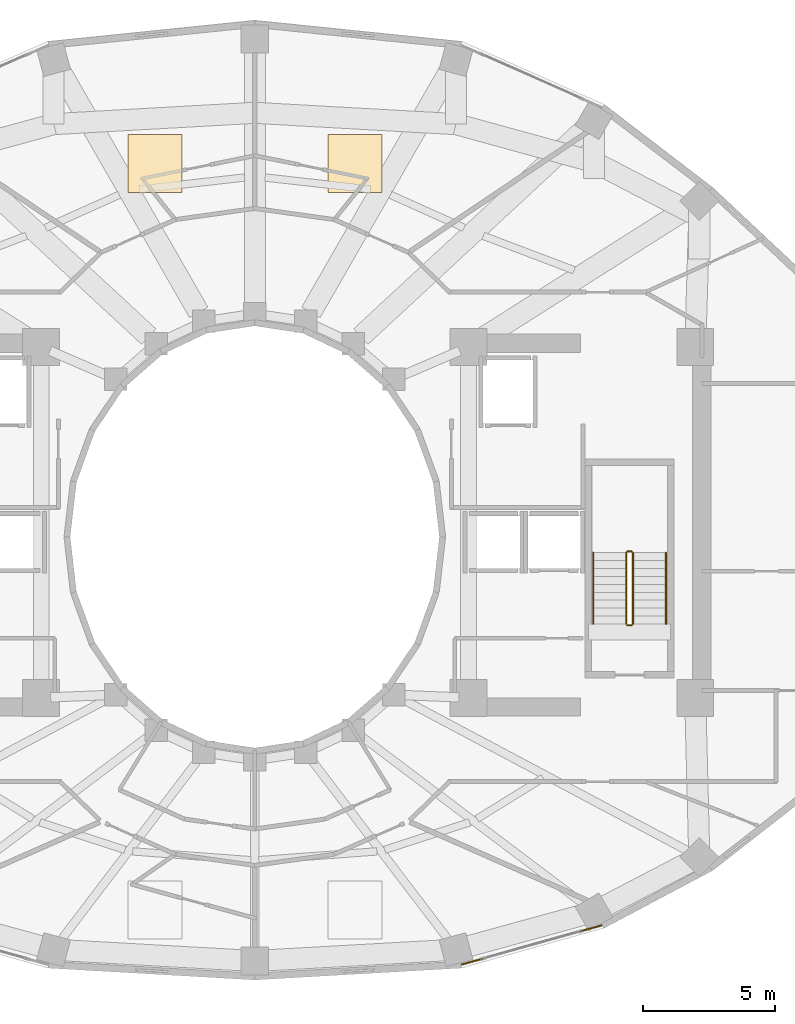
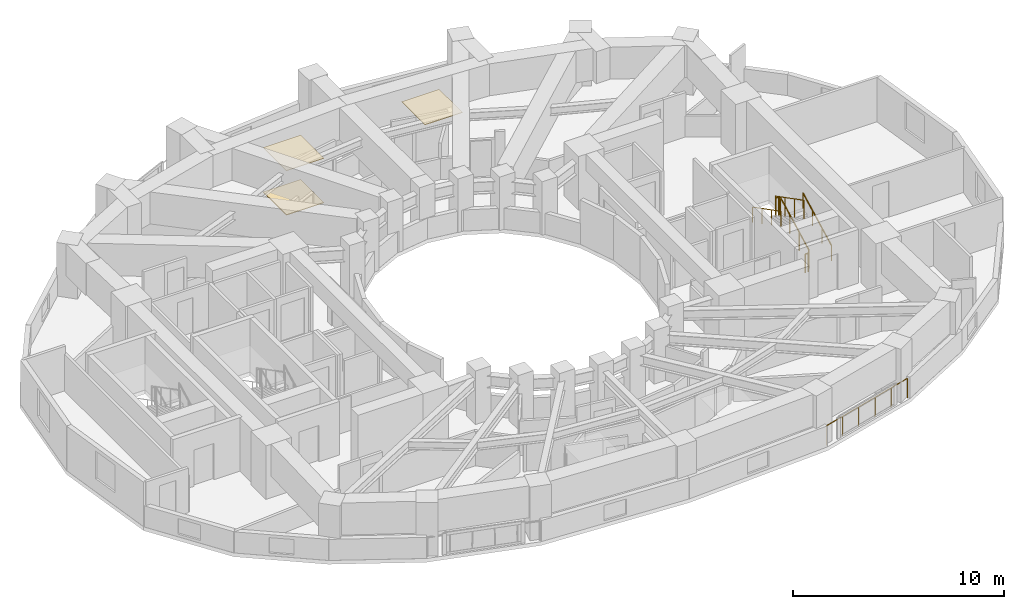
# One storey, part 15 of 16: 7 railings, 3 coverings.
"""IFC4 building model written with IfcOpenShell, lengths in metres."""

import ifcopenshell
import ifcopenshell.guid

model = None  # the IFC model being written
_history = None  # IfcOwnerHistory: only IFC2X3 demands one
_inside = {}  # id of a spatial element -> (the spatial element, [elements in it])
_under = {}  # id of a project, library or spatial element -> (it, [spatial elements below it])
_declared = {}  # id of a project -> (the project, [libraries it declares])
_typed = {}  # id of a type object -> (the type object, [elements of that type])
_made_of = {}  # id of a material, layer set ... -> (it, [elements and type objects made of it])


def new_model(schema):
    """Start an empty IFC model of exactly this schema.

    Asked for "IFC4X3", IfcOpenShell would pick the latest addendum, in which some entities
    have other attributes; the version numbers below select the first issue.
    IFC2X3 requires an IfcOwnerHistory on every rooted entity: one is made here for all.
    """
    global model, _history
    if schema == "IFC4X3":
        model = ifcopenshell.file(schema_version=(4, 3, 0, 0))
    else:
        model = ifcopenshell.file(schema=schema)
    _inside.clear()
    _under.clear()
    _declared.clear()
    _typed.clear()
    _made_of.clear()
    _history = None
    if model.schema == "IFC2X3":
        org = make("IfcOrganization", Name="unknown")
        user = make(
            "IfcPersonAndOrganization",
            ThePerson=make("IfcPerson", FamilyName="unknown"),
            TheOrganization=org,
        )
        app = make(
            "IfcApplication",
            ApplicationDeveloper=org,
            Version="unknown",
            ApplicationFullName="unknown",
            ApplicationIdentifier="unknown",
        )
        _history = make(
            "IfcOwnerHistory",
            OwningUser=user,
            OwningApplication=app,
            ChangeAction="ADDED",
            CreationDate=0,
        )
    return model


def make(cls, **values):
    """One entity of the class cls with the attributes given. An attribute that is None is left unset."""
    return model.create_entity(
        cls, **{name: value for name, value in values.items() if value is not None}
    )


def rooted(cls, **values):
    """An entity with a GlobalId (a new one), such as an element, a storey or a relation."""
    return make(cls, GlobalId=ifcopenshell.guid.new(), OwnerHistory=_history, **values)


def si_unit(unit_type, name, prefix=None):
    """IfcSIUnit, for example si_unit("LENGTHUNIT", "METRE", prefix="MILLI")."""
    return make("IfcSIUnit", UnitType=unit_type, Prefix=prefix, Name=name)


def assignment(units):
    """IfcUnitAssignment: the units of a project."""
    return None if units is None else make("IfcUnitAssignment", Units=units)


def point(xyz):
    """IfcCartesianPoint."""
    return None if xyz is None else make("IfcCartesianPoint", Coordinates=xyz)


def direction(xyz):
    """IfcDirection."""
    return None if xyz is None else make("IfcDirection", DirectionRatios=xyz)


def frame(location, z_axis=None, x_axis=None):
    """IfcAxis2Placement3D, a coordinate frame: its origin and axes. An axis left out is left unset."""
    return make(
        "IfcAxis2Placement3D",
        Location=point(location),
        Axis=direction(z_axis),
        RefDirection=direction(x_axis),
    )


def frame_2d(location, x_axis=None):
    """IfcAxis2Placement2D, a coordinate frame in the plane: its origin and x axis."""
    return make(
        "IfcAxis2Placement2D", Location=point(location), RefDirection=direction(x_axis)
    )


def origin():
    """The frame at (0, 0, 0) with its axes left unset."""
    return frame((0.0, 0.0, 0.0))


def origin_2d():
    """The frame at (0, 0) in the plane with its x axis left unset."""
    return frame_2d((0.0, 0.0))


def place(relative_to, where):
    """IfcLocalPlacement: puts the frame where relative to a parent placement (None: the world)."""
    return make(
        "IfcLocalPlacement", PlacementRelTo=relative_to, RelativePlacement=where
    )


def context(
    kind, dimensions, precision=None, world=None, true_north=None, identifier=None
):
    """IfcGeometricRepresentationContext, for example the 3D "Model" context."""
    return make(
        "IfcGeometricRepresentationContext",
        ContextIdentifier=identifier,
        ContextType=kind,
        CoordinateSpaceDimension=dimensions,
        Precision=precision,
        WorldCoordinateSystem=world,
        TrueNorth=true_north,
    )


def subcontext(parent, identifier, kind, view, scale=None):
    """IfcGeometricRepresentationSubContext, for example "Body" below "Model"."""
    return make(
        "IfcGeometricRepresentationSubContext",
        ContextIdentifier=identifier,
        ContextType=kind,
        ParentContext=parent,
        TargetScale=scale,
        TargetView=view,
    )


def project(units=None, contexts=None):
    """IfcProject with its units and contexts."""
    return rooted(
        "IfcProject",
        Name="project",
        RepresentationContexts=contexts,
        UnitsInContext=assignment(units),
    )


def spatial(cls, under=None, at=None, **own):
    """A site, building, storey or space (cls), placed at a placement, below another one or the project."""
    s = rooted(cls, ObjectPlacement=at, **own)
    if under is not None:
        _under.setdefault(under.id(), (under, []))[1].append(s)
    return s


def polyline(points):
    """IfcPolyline through the points."""
    return make("IfcPolyline", Points=[point(p) for p in points])


def profile(cls, at=None, kind="AREA", **sizes):
    """A parametric profile (cls). Its sizes go by their IFC names, for example OverallWidth=200.0."""
    return make(cls, ProfileType=kind, Position=at, **sizes)


def circle(**sizes):
    """IfcCircleProfileDef."""
    return profile("IfcCircleProfileDef", **sizes)


def outline(outer, holes=None, kind="AREA"):
    """IfcArbitraryClosedProfileDef: a profile drawn as a closed curve; with holes, ...WithVoids."""
    if holes is None:
        return make("IfcArbitraryClosedProfileDef", ProfileType=kind, OuterCurve=outer)
    return make(
        "IfcArbitraryProfileDefWithVoids",
        ProfileType=kind,
        OuterCurve=outer,
        InnerCurves=holes,
    )


def extrude(swept, where, along, depth):
    """IfcExtrudedAreaSolid: the profile swept, set in the frame where, extruded along a direction by depth."""
    return make(
        "IfcExtrudedAreaSolid",
        SweptArea=swept,
        Position=where,
        ExtrudedDirection=direction(along),
        Depth=depth,
    )


def shape(context_of_items, identifier, shape_type, items):
    """IfcShapeRepresentation: the items that make up one representation, for example the "Body"."""
    return make(
        "IfcShapeRepresentation",
        ContextOfItems=context_of_items,
        RepresentationIdentifier=identifier,
        RepresentationType=shape_type,
        Items=items,
    )


def material(Name=None, Category=None):
    """IfcMaterial."""
    return make("IfcMaterial", Name=Name, Category=Category)


def layer(
    of_material, thickness, ventilated=None, Name=None, Category=None, Priority=None
):
    """IfcMaterialLayer: one layer of a wall or slab, of a material (None: an air gap)."""
    return make(
        "IfcMaterialLayer",
        Material=of_material,
        LayerThickness=thickness,
        IsVentilated=ventilated,
        Name=Name,
        Category=Category,
        Priority=Priority,
    )


def layer_set(layers, Name=None):
    """IfcMaterialLayerSet."""
    return make("IfcMaterialLayerSet", MaterialLayers=layers, LayerSetName=Name)


def made_of(thing, what):
    """Note that an element or type object is made of a material, layer set ...; save() writes the relation."""
    if what is not None:
        _made_of.setdefault(what.id(), (what, []))[1].append(thing)
    return thing


def type_object(cls, material=None, **own):
    """A type object (cls), such as IfcWallType, which elements share."""
    return made_of(rooted(cls, **own), material)


def element(
    cls,
    number,
    at=None,
    inside=None,
    cuts=None,
    type_object=None,
    material=None,
    context=None,
    identifier="Body",
    shape_type=None,
    held_by="IfcProductDefinitionShape",
    body=None,
    shapes=None,
    **own,
):
    """One element of the class cls, such as IfcWall. Its Tag is "e" and its number.

    at: its placement. inside: the storey or other place that contains it. cuts: it is an
    opening in that element (IfcRelVoidsElement). A single representation is given by context,
    identifier, shape_type and body (its items); several are given by shapes. held_by: the class
    of the entity that holds the representations. save() writes the other relations.
    """
    e = rooted(cls, Tag="e%d" % number, ObjectPlacement=at, **own)
    if body is not None:
        shapes = [shape(context, identifier, shape_type, body)]
    if shapes is not None:
        e.Representation = make(held_by, Representations=shapes)
    if inside is not None:
        _inside.setdefault(inside.id(), (inside, []))[1].append(e)
    if cuts is not None:
        rooted(
            "IfcRelVoidsElement", RelatingBuildingElement=cuts, RelatedOpeningElement=e
        )
    if type_object is not None:
        _typed.setdefault(type_object.id(), (type_object, []))[1].append(e)
    return made_of(e, material)


def aggregate(whole, parts):
    """IfcRelAggregates: a whole, such as a stair, and the parts it consists of."""
    return rooted("IfcRelAggregates", RelatingObject=whole, RelatedObjects=parts)


def save(model, path):
    """Write the relations noted so far, then the file.

    IfcRelAggregates (storeys below a building ...), IfcRelContainedInSpatialStructure (elements
    in a storey), IfcRelDefinesByType, IfcRelAssociatesMaterial and IfcRelDeclares: one each for
    every whole, place, type object, material and project.
    """
    for whole, parts in _under.values():
        aggregate(whole, parts)
    for where, things in _inside.values():
        rooted(
            "IfcRelContainedInSpatialStructure",
            RelatedElements=things,
            RelatingStructure=where,
        )
    for kind, things in _typed.values():
        rooted("IfcRelDefinesByType", RelatedObjects=things, RelatingType=kind)
    for what, things in _made_of.values():
        rooted("IfcRelAssociatesMaterial", RelatedObjects=things, RelatingMaterial=what)
    for by, libraries in _declared.values():
        rooted("IfcRelDeclares", RelatingContext=by, RelatedDefinitions=libraries)
    model.write(path)


model = new_model("IFC4")

# Units and contexts
model_context = context("Model", 3, precision=1e-05, world=origin(), true_north=direction((0.0, 1.0)))
body_context = subcontext(model_context, "Body", "Model", "MODEL_VIEW")
ifc_project = project(units=[si_unit("LENGTHUNIT", "METRE"), si_unit("AREAUNIT", "SQUARE_METRE"), si_unit("VOLUMEUNIT", "CUBIC_METRE"), si_unit("PLANEANGLEUNIT", "RADIAN"), si_unit("MASSUNIT", "GRAM", prefix="KILO")], contexts=[model_context])

# Site, building, storey
site_placement = place(None, origin())
site = spatial("IfcSite", under=ifc_project, at=site_placement, CompositionType="ELEMENT")
building_placement = place(site_placement, origin())
building = spatial("IfcBuilding", under=site, at=building_placement, Name="Solvane Sanctuary Tower", CompositionType="ELEMENT")
storey_placement = place(building_placement, frame((0.0, 0.0, 119.699951171875)))
storey = spatial("IfcBuildingStorey", under=building, at=storey_placement, Name="L36", CompositionType="ELEMENT", Elevation=119.699951171875)

# Coverings
ifc_material_1 = material(Name="Acoustic Gypsum Partition Board")
ifc_layer_1 = layer(ifc_material_1, 0.02490234375, Name="Acoustic Gypsum Partition Board")
ifc_layer_set_1 = layer_set([ifc_layer_1], Name="Acoustic Gypsum Partition Board")
covering_type_1 = type_object("IfcCoveringType", Name="Covering CLG-ACOUST", PredefinedType="CEILING", material=ifc_layer_set_1)
covering_1_placement = place(storey_placement, frame((0.0, 0.0, 2.570068359375)))
element("IfcCovering", 1, at=covering_1_placement, inside=storey, type_object=covering_type_1, Name="L36 Unit Acoustic Ceiling Panel 1", PredefinedType="CEILING", context=body_context, shape_type="SweptSolid", body=[
    extrude(outline(polyline([(34.76708984375, 36.051025390625), (36.81689453125, 36.051025390625), (36.81689453125, 38.2509765625), (34.76708984375, 38.2509765625), (34.76708984375, 36.051025390625)])), origin(), (0.0, 0.0, 1.0), 0.030029296875),
])
covering_2_placement = place(storey_placement, frame((0.0, 0.0, 2.570068359375)))
element("IfcCovering", 2, at=covering_2_placement, inside=storey, type_object=covering_type_1, Name="L36 Unit Acoustic Ceiling Panel 2", PredefinedType="CEILING", context=body_context, shape_type="SweptSolid", body=[
    extrude(outline(polyline([(27.18310546875, 36.051025390625), (29.23291015625, 36.051025390625), (29.23291015625, 38.2509765625), (27.18310546875, 38.2509765625), (27.18310546875, 36.051025390625)])), origin(), (0.0, 0.0, 1.0), 0.030029296875),
])
ifc_material_2 = material(Name="Ceramic Tile Finish")
ifc_layer_2 = layer(ifc_material_2, 0.030029296875, Name="Ceramic Tile Finish")
ifc_layer_set_2 = layer_set([ifc_layer_2], Name="Ceramic Tile Finish")
covering_type_2 = type_object("IfcCoveringType", Name="Covering FLR-TERRAZZO", PredefinedType="FLOORING", material=ifc_layer_set_2)
covering_3_placement = place(storey_placement, origin())
element("IfcCovering", 3, at=covering_3_placement, inside=storey, type_object=covering_type_2, Name="L36 Unit Terrazzo Inlay 2", PredefinedType="FLOORING", context=body_context, shape_type="SweptSolid", body=[
    extrude(outline(polyline([(27.18310546875, 36.051025390625), (29.23291015625, 36.051025390625), (29.23291015625, 38.2509765625), (27.18310546875, 38.2509765625), (27.18310546875, 36.051025390625)])), origin(), (0.0, 0.0, 1.0), 0.03515625),
])

# Railings
ifc_material_3 = material(Name="Architectural Stainless Steel 316", Category="steel")
railing_type_1 = type_object("IfcRailingType", Name="Railing GR-BALC-1150", PredefinedType="BALUSTRADE", material=ifc_material_3)
railing_1_placement = place(storey_placement, frame((39.84521484375, 6.78662109375, 0.0)))
element("IfcRailing", 4, at=railing_1_placement, inside=storey, type_object=railing_type_1, Name="L36 Curtain-Wall Perimeter Sill Guard 19", PredefinedType="BALUSTRADE", context=body_context, shape_type="SweptSolid", body=[
    extrude(circle(Radius=0.02392578125, at=origin_2d()), frame((0.0, 0.0, 1.1259765625), z_axis=(0.96295710783, 0.269654609601, 0.0), x_axis=(-0.269654609601, 0.96295710783, 0.0)), (0.0, 0.0, 1.0), 5.5029296875),
    extrude(circle(Radius=0.02099609375, at=origin_2d()), origin(), (0.0, 0.0, 1.0), 1.101806640625),
    extrude(circle(Radius=0.02099609375, at=origin_2d()), frame((1.059814453125, 0.296875, 0.0)), (0.0, 0.0, 1.0), 1.101806640625),
    extrude(circle(Radius=0.02099609375, at=origin_2d()), frame((2.11962890625, 0.593505859375, 0.0)), (0.0, 0.0, 1.0), 1.101806640625),
    extrude(circle(Radius=0.02099609375, at=origin_2d()), frame((3.179443359375, 0.890380859375, 0.0)), (0.0, 0.0, 1.0), 1.101806640625),
    extrude(circle(Radius=0.02099609375, at=origin_2d()), frame((4.2392578125, 1.18701171875, 0.0)), (0.0, 0.0, 1.0), 1.101806640625),
    extrude(circle(Radius=0.02099609375, at=origin_2d()), frame((5.299072265625, 1.48388671875, 0.0)), (0.0, 0.0, 1.0), 1.101806640625),
])
railing_2_placement = place(storey_placement, frame((46.340087890625, 19.699951171875, 0.155029296875)))
element("IfcRailing", 5, at=railing_2_placement, inside=storey, type_object=railing_type_1, Name="L36 ST-2 stair guard 1", PredefinedType="BALUSTRADE", context=body_context, shape_type="SweptSolid", body=[
    extrude(circle(Radius=0.02392578125, at=origin_2d()), frame((0.0, 0.0, 1.076171875), z_axis=(0.0, 0.888419900624, 0.459031676658), x_axis=(-1.0, 0.0, 0.0)), (0.0, 0.0, 1.0), 3.0390625),
    extrude(circle(Radius=0.02099609375, at=origin_2d()), origin(), (0.0, 0.0, 1.0), 1.052001953125),
    extrude(circle(Radius=0.02099609375, at=origin_2d()), frame((0.0, 0.89990234375, 0.465087890625)), (0.0, 0.0, 1.0), 1.052001953125),
    extrude(circle(Radius=0.02099609375, at=origin_2d()), frame((0.0, 1.800048828125, 0.929931640625)), (0.0, 0.0, 1.0), 1.052001953125),
    extrude(circle(Radius=0.02099609375, at=origin_2d()), frame((0.0, 2.699951171875, 1.39501953125)), (0.0, 0.0, 1.0), 1.052001953125),
])
railing_3_placement = place(storey_placement, frame((46.2900390625, 22.449951171875, 1.550048828125)))
element("IfcRailing", 6, at=railing_3_placement, inside=storey, type_object=railing_type_1, Name="L36 ST-2 stair guard 2", PredefinedType="BALUSTRADE", context=body_context, shape_type="SweptSolid", body=[
    extrude(circle(Radius=0.02392578125, at=origin_2d()), frame((0.0, 0.0, 1.076171875), z_axis=(-1.0, 0.0, 0.0), x_axis=(0.0, -1.0, 0.0)), (0.0, 0.0, 1.0), 0.16015625),
    extrude(circle(Radius=0.02099609375, at=origin_2d()), origin(), (0.0, 0.0, 1.0), 1.052001953125),
    extrude(circle(Radius=0.02099609375, at=origin_2d()), frame((-0.16015625, 0.0, 0.0)), (0.0, 0.0, 1.0), 1.052001953125),
])
railing_4_placement = place(storey_placement, frame((46.080078125, 22.39990234375, 1.705078125)))
element("IfcRailing", 7, at=railing_4_placement, inside=storey, type_object=railing_type_1, Name="L36 ST-2 stair guard 3", PredefinedType="BALUSTRADE", context=body_context, shape_type="SweptSolid", body=[
    extrude(circle(Radius=0.02392578125, at=origin_2d()), frame((0.0, 0.0, 1.076171875), z_axis=(0.0, -0.888419900624, 0.459031676658), x_axis=(1.0, 0.0, 0.0)), (0.0, 0.0, 1.0), 3.0390625),
    extrude(circle(Radius=0.02099609375, at=origin_2d()), origin(), (0.0, 0.0, 1.0), 1.052001953125),
    extrude(circle(Radius=0.02099609375, at=origin_2d()), frame((0.0, -0.89990234375, 0.465087890625)), (0.0, 0.0, 1.0), 1.052001953125),
    extrude(circle(Radius=0.02099609375, at=origin_2d()), frame((0.0, -1.800048828125, 0.929931640625)), (0.0, 0.0, 1.0), 1.052001953125),
    extrude(circle(Radius=0.02099609375, at=origin_2d()), frame((0.0, -2.699951171875, 1.39501953125)), (0.0, 0.0, 1.0), 1.052001953125),
])
railing_5_placement = place(storey_placement, frame((46.2900390625, 19.64990234375, 0.0)))
element("IfcRailing", 8, at=railing_5_placement, inside=storey, type_object=railing_type_1, Name="L36 ST-2 stair guard 4", PredefinedType="BALUSTRADE", context=body_context, shape_type="SweptSolid", body=[
    extrude(circle(Radius=0.02392578125, at=origin_2d()), frame((0.0, 0.0, 1.076171875), z_axis=(-1.0, 0.0, 0.0), x_axis=(0.0, -1.0, 0.0)), (0.0, 0.0, 1.0), 0.16015625),
    extrude(circle(Radius=0.02099609375, at=origin_2d()), origin(), (0.0, 0.0, 1.0), 1.052001953125),
    extrude(circle(Radius=0.02099609375, at=origin_2d()), frame((-0.16015625, 0.0, 0.0)), (0.0, 0.0, 1.0), 1.052001953125),
])
railing_type_2 = type_object("IfcRailingType", Name="Railing HR-STAIR-920", PredefinedType="HANDRAIL", material=ifc_material_3)
railing_6_placement = place(storey_placement, frame((47.590087890625, 19.699951171875, 0.155029296875)))
element("IfcRailing", 9, at=railing_6_placement, inside=storey, type_object=railing_type_2, Name="L36 ST-2 stair handrail 1", PredefinedType="HANDRAIL", context=body_context, shape_type="SweptSolid", body=[
    extrude(circle(Radius=0.02392578125, at=origin_2d()), frame((0.0, 0.0, 0.8759765625), z_axis=(0.0, 0.888419900624, 0.459031676658), x_axis=(-1.0, 0.0, 0.0)), (0.0, 0.0, 1.0), 3.0390625),
    extrude(circle(Radius=0.02099609375, at=origin_2d()), origin(), (0.0, 0.0, 1.0), 0.851806640625),
    extrude(circle(Radius=0.02099609375, at=origin_2d()), frame((0.0, 0.89990234375, 0.465087890625)), (0.0, 0.0, 1.0), 0.851806640625),
    extrude(circle(Radius=0.02099609375, at=origin_2d()), frame((0.0, 1.800048828125, 0.929931640625)), (0.0, 0.0, 1.0), 0.851806640625),
    extrude(circle(Radius=0.02099609375, at=origin_2d()), frame((0.0, 2.699951171875, 1.39501953125)), (0.0, 0.0, 1.0), 0.851806640625),
])
railing_7_placement = place(storey_placement, frame((44.830078125, 22.39990234375, 1.705078125)))
element("IfcRailing", 10, at=railing_7_placement, inside=storey, type_object=railing_type_2, Name="L36 ST-2 stair handrail 2", PredefinedType="HANDRAIL", context=body_context, shape_type="SweptSolid", body=[
    extrude(circle(Radius=0.02392578125, at=origin_2d()), frame((0.0, 0.0, 0.8759765625), z_axis=(0.0, -0.888419900624, 0.459031676658), x_axis=(1.0, 0.0, 0.0)), (0.0, 0.0, 1.0), 3.0390625),
    extrude(circle(Radius=0.02099609375, at=origin_2d()), origin(), (0.0, 0.0, 1.0), 0.851806640625),
    extrude(circle(Radius=0.02099609375, at=origin_2d()), frame((0.0, -0.89990234375, 0.465087890625)), (0.0, 0.0, 1.0), 0.851806640625),
    extrude(circle(Radius=0.02099609375, at=origin_2d()), frame((0.0, -1.800048828125, 0.929931640625)), (0.0, 0.0, 1.0), 0.851806640625),
    extrude(circle(Radius=0.02099609375, at=origin_2d()), frame((0.0, -2.699951171875, 1.39501953125)), (0.0, 0.0, 1.0), 0.851806640625),
])

save(model, "model.ifc")
